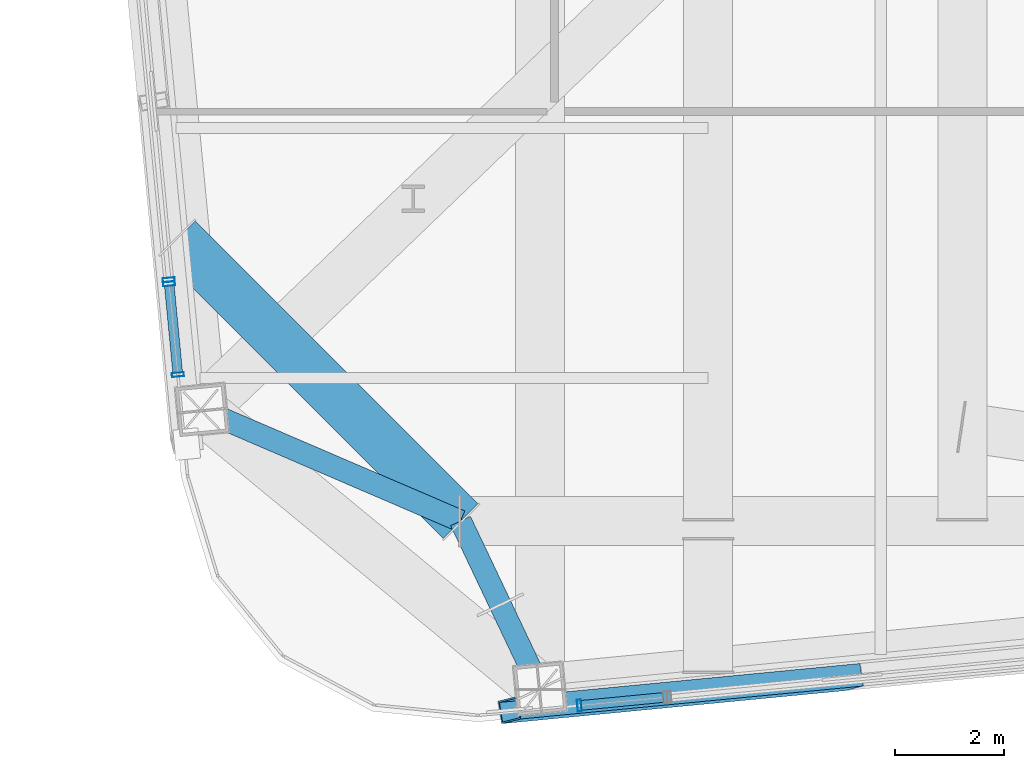
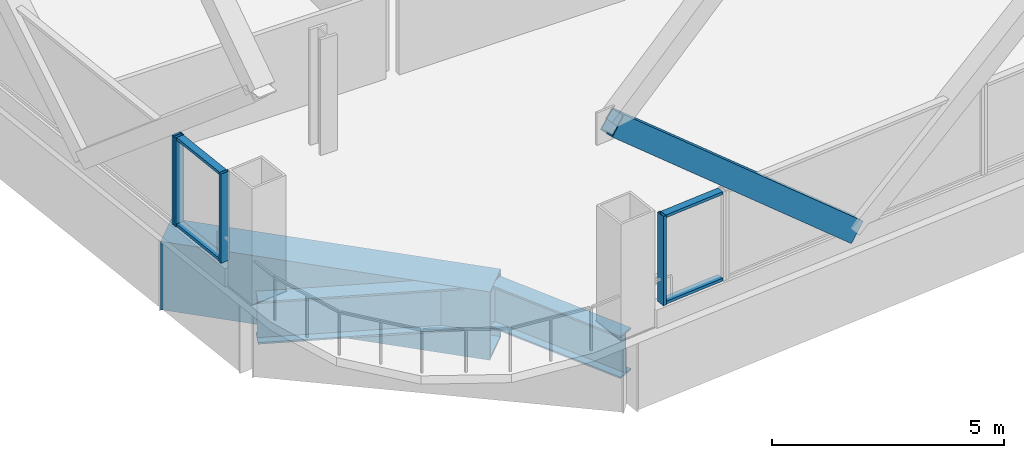
# One storey, part 2 of 42: 9 members, 3 beams, 3 elements without a shape of their own.
"""IFC4 building model written with IfcOpenShell, lengths in metres."""

import ifcopenshell
import ifcopenshell.guid

model = None  # the IFC model being written
_history = None  # IfcOwnerHistory: only IFC2X3 demands one
_inside = {}  # id of a spatial element -> (the spatial element, [elements in it])
_under = {}  # id of a project, library or spatial element -> (it, [spatial elements below it])
_declared = {}  # id of a project -> (the project, [libraries it declares])
_typed = {}  # id of a type object -> (the type object, [elements of that type])
_made_of = {}  # id of a material, layer set ... -> (it, [elements and type objects made of it])


def new_model(schema):
    """Start an empty IFC model of exactly this schema.

    Asked for "IFC4X3", IfcOpenShell would pick the latest addendum, in which some entities
    have other attributes; the version numbers below select the first issue.
    IFC2X3 requires an IfcOwnerHistory on every rooted entity: one is made here for all.
    """
    global model, _history
    if schema == "IFC4X3":
        model = ifcopenshell.file(schema_version=(4, 3, 0, 0))
    else:
        model = ifcopenshell.file(schema=schema)
    _inside.clear()
    _under.clear()
    _declared.clear()
    _typed.clear()
    _made_of.clear()
    _history = None
    if model.schema == "IFC2X3":
        org = make("IfcOrganization", Name="unknown")
        user = make(
            "IfcPersonAndOrganization",
            ThePerson=make("IfcPerson", FamilyName="unknown"),
            TheOrganization=org,
        )
        app = make(
            "IfcApplication",
            ApplicationDeveloper=org,
            Version="unknown",
            ApplicationFullName="unknown",
            ApplicationIdentifier="unknown",
        )
        _history = make(
            "IfcOwnerHistory",
            OwningUser=user,
            OwningApplication=app,
            ChangeAction="ADDED",
            CreationDate=0,
        )
    return model


def make(cls, **values):
    """One entity of the class cls with the attributes given. An attribute that is None is left unset."""
    return model.create_entity(
        cls, **{name: value for name, value in values.items() if value is not None}
    )


def rooted(cls, **values):
    """An entity with a GlobalId (a new one), such as an element, a storey or a relation."""
    return make(cls, GlobalId=ifcopenshell.guid.new(), OwnerHistory=_history, **values)


def si_unit(unit_type, name, prefix=None):
    """IfcSIUnit, for example si_unit("LENGTHUNIT", "METRE", prefix="MILLI")."""
    return make("IfcSIUnit", UnitType=unit_type, Prefix=prefix, Name=name)


def assignment(units):
    """IfcUnitAssignment: the units of a project."""
    return None if units is None else make("IfcUnitAssignment", Units=units)


def point(xyz):
    """IfcCartesianPoint."""
    return None if xyz is None else make("IfcCartesianPoint", Coordinates=xyz)


def direction(xyz):
    """IfcDirection."""
    return None if xyz is None else make("IfcDirection", DirectionRatios=xyz)


def frame(location, z_axis=None, x_axis=None):
    """IfcAxis2Placement3D, a coordinate frame: its origin and axes. An axis left out is left unset."""
    return make(
        "IfcAxis2Placement3D",
        Location=point(location),
        Axis=direction(z_axis),
        RefDirection=direction(x_axis),
    )


def frame_2d(location, x_axis=None):
    """IfcAxis2Placement2D, a coordinate frame in the plane: its origin and x axis."""
    return make(
        "IfcAxis2Placement2D", Location=point(location), RefDirection=direction(x_axis)
    )


def origin():
    """The frame at (0, 0, 0) with its axes left unset."""
    return frame((0.0, 0.0, 0.0))


def origin_2d():
    """The frame at (0, 0) in the plane with its x axis left unset."""
    return frame_2d((0.0, 0.0))


def place(relative_to, where):
    """IfcLocalPlacement: puts the frame where relative to a parent placement (None: the world)."""
    return make(
        "IfcLocalPlacement", PlacementRelTo=relative_to, RelativePlacement=where
    )


def context(
    kind, dimensions, precision=None, world=None, true_north=None, identifier=None
):
    """IfcGeometricRepresentationContext, for example the 3D "Model" context."""
    return make(
        "IfcGeometricRepresentationContext",
        ContextIdentifier=identifier,
        ContextType=kind,
        CoordinateSpaceDimension=dimensions,
        Precision=precision,
        WorldCoordinateSystem=world,
        TrueNorth=true_north,
    )


def subcontext(parent, identifier, kind, view, scale=None):
    """IfcGeometricRepresentationSubContext, for example "Body" below "Model"."""
    return make(
        "IfcGeometricRepresentationSubContext",
        ContextIdentifier=identifier,
        ContextType=kind,
        ParentContext=parent,
        TargetScale=scale,
        TargetView=view,
    )


def project(units=None, contexts=None):
    """IfcProject with its units and contexts."""
    return rooted(
        "IfcProject",
        Name="project",
        RepresentationContexts=contexts,
        UnitsInContext=assignment(units),
    )


def spatial(cls, under=None, at=None, **own):
    """A site, building, storey or space (cls), placed at a placement, below another one or the project."""
    s = rooted(cls, ObjectPlacement=at, **own)
    if under is not None:
        _under.setdefault(under.id(), (under, []))[1].append(s)
    return s


def profile(cls, at=None, kind="AREA", **sizes):
    """A parametric profile (cls). Its sizes go by their IFC names, for example OverallWidth=200.0."""
    return make(cls, ProfileType=kind, Position=at, **sizes)


def hollow_rectangle(**sizes):
    """IfcRectangleHollowProfileDef."""
    return profile("IfcRectangleHollowProfileDef", **sizes)


def i_section(**sizes):
    """IfcIShapeProfileDef."""
    return profile("IfcIShapeProfileDef", **sizes)


def extrude(swept, where, along, depth):
    """IfcExtrudedAreaSolid: the profile swept, set in the frame where, extruded along a direction by depth."""
    return make(
        "IfcExtrudedAreaSolid",
        SweptArea=swept,
        Position=where,
        ExtrudedDirection=direction(along),
        Depth=depth,
    )


def shape(context_of_items, identifier, shape_type, items):
    """IfcShapeRepresentation: the items that make up one representation, for example the "Body"."""
    return make(
        "IfcShapeRepresentation",
        ContextOfItems=context_of_items,
        RepresentationIdentifier=identifier,
        RepresentationType=shape_type,
        Items=items,
    )


def material(Name=None, Category=None):
    """IfcMaterial."""
    return make("IfcMaterial", Name=Name, Category=Category)


def layer(
    of_material, thickness, ventilated=None, Name=None, Category=None, Priority=None
):
    """IfcMaterialLayer: one layer of a wall or slab, of a material (None: an air gap)."""
    return make(
        "IfcMaterialLayer",
        Material=of_material,
        LayerThickness=thickness,
        IsVentilated=ventilated,
        Name=Name,
        Category=Category,
        Priority=Priority,
    )


def layer_set(layers, Name=None):
    """IfcMaterialLayerSet."""
    return make("IfcMaterialLayerSet", MaterialLayers=layers, LayerSetName=Name)


def material_profile(
    of_material, cross_section, Name=None, Category=None, Priority=None
):
    """IfcMaterialProfile: a cross section and its material."""
    return make(
        "IfcMaterialProfile",
        Name=Name,
        Material=of_material,
        Profile=cross_section,
        Priority=Priority,
        Category=Category,
    )


def profile_set(profiles, Name=None, composite=None):
    """IfcMaterialProfileSet."""
    return make(
        "IfcMaterialProfileSet",
        Name=Name,
        MaterialProfiles=profiles,
        CompositeProfile=composite,
    )


def made_of(thing, what):
    """Note that an element or type object is made of a material, layer set ...; save() writes the relation."""
    if what is not None:
        _made_of.setdefault(what.id(), (what, []))[1].append(thing)
    return thing


def type_object(cls, material=None, **own):
    """A type object (cls), such as IfcWallType, which elements share."""
    return made_of(rooted(cls, **own), material)


def element(
    cls,
    number,
    at=None,
    inside=None,
    cuts=None,
    type_object=None,
    material=None,
    context=None,
    identifier="Body",
    shape_type=None,
    held_by="IfcProductDefinitionShape",
    body=None,
    shapes=None,
    **own,
):
    """One element of the class cls, such as IfcWall. Its Tag is "e" and its number.

    at: its placement. inside: the storey or other place that contains it. cuts: it is an
    opening in that element (IfcRelVoidsElement). A single representation is given by context,
    identifier, shape_type and body (its items); several are given by shapes. held_by: the class
    of the entity that holds the representations. save() writes the other relations.
    """
    e = rooted(cls, Tag="e%d" % number, ObjectPlacement=at, **own)
    if body is not None:
        shapes = [shape(context, identifier, shape_type, body)]
    if shapes is not None:
        e.Representation = make(held_by, Representations=shapes)
    if inside is not None:
        _inside.setdefault(inside.id(), (inside, []))[1].append(e)
    if cuts is not None:
        rooted(
            "IfcRelVoidsElement", RelatingBuildingElement=cuts, RelatedOpeningElement=e
        )
    if type_object is not None:
        _typed.setdefault(type_object.id(), (type_object, []))[1].append(e)
    return made_of(e, material)


def aggregate(whole, parts):
    """IfcRelAggregates: a whole, such as a stair, and the parts it consists of."""
    return rooted("IfcRelAggregates", RelatingObject=whole, RelatedObjects=parts)


def save(model, path):
    """Write the relations noted so far, then the file.

    IfcRelAggregates (storeys below a building ...), IfcRelContainedInSpatialStructure (elements
    in a storey), IfcRelDefinesByType, IfcRelAssociatesMaterial and IfcRelDeclares: one each for
    every whole, place, type object, material and project.
    """
    for whole, parts in _under.values():
        aggregate(whole, parts)
    for where, things in _inside.values():
        rooted(
            "IfcRelContainedInSpatialStructure",
            RelatedElements=things,
            RelatingStructure=where,
        )
    for kind, things in _typed.values():
        rooted("IfcRelDefinesByType", RelatedObjects=things, RelatingType=kind)
    for what, things in _made_of.values():
        rooted("IfcRelAssociatesMaterial", RelatedObjects=things, RelatingMaterial=what)
    for by, libraries in _declared.values():
        rooted("IfcRelDeclares", RelatingContext=by, RelatedDefinitions=libraries)
    model.write(path)


model = new_model("IFC4")

# Units and contexts
model_context = context("Model", 3, precision=1e-05, world=origin(), true_north=direction((0.0, 1.0)))
body_context = subcontext(model_context, "Body", "Model", "MODEL_VIEW")
ifc_project = project(units=[si_unit("LENGTHUNIT", "METRE"), si_unit("AREAUNIT", "SQUARE_METRE"), si_unit("VOLUMEUNIT", "CUBIC_METRE"), si_unit("PLANEANGLEUNIT", "RADIAN"), si_unit("MASSUNIT", "GRAM", prefix="KILO")], contexts=[model_context])

# Site, building, storey
site_placement = place(None, origin())
site = spatial("IfcSite", under=ifc_project, at=site_placement, CompositionType="ELEMENT")
building_placement = place(site_placement, origin())
building = spatial("IfcBuilding", under=site, at=building_placement, Name="Qhalaya Broadcast Tower", CompositionType="ELEMENT")
storey_placement = place(building_placement, frame((0.0, 0.0, 69.449951171875)))
storey = spatial("IfcBuildingStorey", under=building, at=storey_placement, Name="L19", CompositionType="ELEMENT", Elevation=69.449951171875)

# Beam
ifc_material_1 = material(Name="Structural Steel ASTM A572 Grade 50", Category="steel")
ifc_material_profile_1 = material_profile(ifc_material_1, hollow_rectangle(XDim=0.89990234375, YDim=1.800048828125, WallThickness=0.06005859375, at=origin_2d()), Name="BOX 900x1800x60")
ifc_profile_set_1 = profile_set([ifc_material_profile_1], Name="Structural Steel ASTM A572 Grade 50")
beam_type_1 = type_object("IfcBeamType", Name="Block Cantilever Transfer Box Girder TG1", PredefinedType="USERDEFINED", material=ifc_profile_set_1)
beam_1_placement = place(storey_placement, frame((-19.1298828125, -13.929931640625, -1.119873046875), z_axis=(0.707106781187, -0.707106781187, 0.0), x_axis=(0.707106781187, 0.707106781187, 0.0)))
element("IfcBeam", 1, at=beam_1_placement, inside=storey, type_object=beam_type_1, Name="L19 TG1 L19-TGL-16", ObjectType="GIRDER", PredefinedType="USERDEFINED", context=body_context, shape_type="SweptSolid", body=[
    extrude(hollow_rectangle(XDim=0.89990234375, YDim=1.800048828125, WallThickness=0.06005859375, at=origin_2d()), origin(), (0.0, 0.0, 1.0), 7.353759765625),
])

# Member
ifc_material_profile_2 = material_profile(ifc_material_1, hollow_rectangle(XDim=0.419921875, YDim=0.550048828125, WallThickness=0.028076171875, at=origin_2d()), Name="BOX 420x550x28")
ifc_profile_set_2 = profile_set([ifc_material_profile_2], Name="Structural Steel ASTM A572 Grade 50")
member_type_1 = type_object("IfcMemberType", Name="Exoskeleton Diamond Diagonal Mid-Low EX2", PredefinedType="BRACE", material=ifc_profile_set_2)
member_1_placement = place(storey_placement, frame((-6.725830078125, -22.00146484375, 0.360107421875), z_axis=(-0.758635580976, -0.073066636585, 0.647405067864), x_axis=(0.157193441444, -0.984862499798, 0.073048466507)))
element("IfcMember", 2, at=member_1_placement, inside=storey, type_object=member_type_1, Name="B2 Exoskeleton Diamond Brace S1-D1", PredefinedType="BRACE", context=body_context, shape_type="SweptSolid", body=[
    extrude(hollow_rectangle(XDim=0.419921875, YDim=0.550048828125, WallThickness=0.028076171875, at=origin_2d()), origin(), (0.0, 0.0, 1.0), 8.309814453125),
])

# Beams
ifc_material_2 = material(Name="Structural Steel ASTM A992 Grade 50", Category="steel")
ifc_material_profile_3 = material_profile(ifc_material_2, i_section(OverallWidth=0.404052734375, OverallDepth=1.117919921875, WebThickness=0.026123046875, FlangeThickness=0.044921875, at=origin_2d()), Name="W44X335")
ifc_profile_set_3 = profile_set([ifc_material_profile_3], Name="Structural Steel ASTM A992 Grade 50")
beam_type_2 = type_object("IfcBeamType", Name="Podium Long-Span Primary Girder PG1", PredefinedType="USERDEFINED", material=ifc_profile_set_3)
beam_2_placement = place(storey_placement, frame((-13.929931640625, -19.1298828125, -0.779052734375), z_axis=(0.429125391457, -0.903244927142, 0.0), x_axis=(0.903244927142, 0.429125391457, 0.0)))
element("IfcBeam", 3, at=beam_2_placement, inside=storey, type_object=beam_type_2, Name="L19 Column-to-Column Moment Tie Girder 01-1", ObjectType="GIRDER", PredefinedType="USERDEFINED", context=body_context, shape_type="SweptSolid", body=[
    extrude(i_section(OverallWidth=0.404052734375, OverallDepth=1.117919921875, WebThickness=0.026123046875, FlangeThickness=0.044921875, at=origin_2d()), origin(), (0.0, 0.0, 1.0), 3.4130859375),
])
beam_3_placement = place(storey_placement, frame((-13.929931640625, -19.1298828125, -0.779052734375), z_axis=(-0.918685788708, 0.394989141149, 0.0), x_axis=(-0.394989141149, -0.918685788708, 0.0)))
element("IfcBeam", 4, at=beam_3_placement, inside=storey, type_object=beam_type_2, Name="L19 Column-to-Column Moment Tie Girder 16-2", ObjectType="GIRDER", PredefinedType="USERDEFINED", context=body_context, shape_type="SweptSolid", body=[
    extrude(i_section(OverallWidth=0.404052734375, OverallDepth=1.117919921875, WebThickness=0.026123046875, FlangeThickness=0.044921875, at=origin_2d()), origin(), (0.0, 0.0, 1.0), 5.176513671875),
])

# Curtain wall, member
ifc_material_3 = material(Name="Solar-Control Low-E Triple Glazing", Category="glass")
ifc_layer_1 = layer(ifc_material_3, 0.219970703125, Name="Solar-Control Low-E Triple Glazing")
ifc_layer_set_1 = layer_set([ifc_layer_1], Name="Solar-Control Low-E Triple Glazing")
curtain_wall_type_1 = type_object("IfcCurtainWallType", Name="Even-Block 4-Storey Double-Module Curtain Wall CW-03", PredefinedType="NOTDEFINED", material=ifc_layer_set_1)
curtain_wall_1_placement = place(storey_placement, origin())
curtain_wall_1 = element("IfcCurtainWall", 5, at=curtain_wall_1_placement, inside=storey, type_object=curtain_wall_type_1, Name="L19 Unitised Curtain Wall L19-CW-S1", PredefinedType="NOTDEFINED")
ifc_material_4 = material(Name="Anodised Aluminium 6063-T6", Category="aluminium")
ifc_material_profile_4 = material_profile(ifc_material_4, hollow_rectangle(XDim=0.074951171875, YDim=0.219970703125, WallThickness=0.00390625, at=origin_2d()), Name="ALU-MUL 75x220x4")
ifc_profile_set_4 = profile_set([ifc_material_profile_4], Name="Anodised Aluminium 6063-T6")
member_type_2 = type_object("IfcMemberType", Name="Unitised Curtain-Wall Mullion M01", PredefinedType="MULLION", material=ifc_profile_set_4)
member_2_placement = place(storey_placement, frame((-11.74462890625, -22.52490234375, 0.47998046875), z_axis=(0.0, 0.0, 1.0), x_axis=(0.995395680125, 0.095851134517, 0.0)))
member_2 = element("IfcMember", 6, at=member_2_placement, type_object=member_type_2, Name="CW-03 mullion 1", PredefinedType="MULLION", context=body_context, shape_type="SweptSolid", body=[
    extrude(hollow_rectangle(XDim=0.074951171875, YDim=0.219970703125, WallThickness=0.00390625, at=origin_2d()), origin(), (0.0, 0.0, 1.0), 2.35009765625),
])

ifc_material_5 = material(Name="Fired Architectural Terracotta", Category="masonry")
ifc_layer_2 = layer(ifc_material_5, 0.219970703125, Name="Fired Architectural Terracotta")
ifc_layer_set_2 = layer_set([ifc_layer_2], Name="Fired Architectural Terracotta")
curtain_wall_type_2 = type_object("IfcCurtainWallType", Name="Block-Cap Unitised Terracotta Spandrel Wall CW-07", PredefinedType="NOTDEFINED", material=ifc_layer_set_2)
curtain_wall_2_placement = place(storey_placement, origin())
curtain_wall_2 = element("IfcCurtainWall", 7, at=curtain_wall_2_placement, inside=storey, type_object=curtain_wall_type_2, Name="L19 Unitised Curtain Wall L19-CW-W6", PredefinedType="NOTDEFINED")
member_3_placement = place(storey_placement, frame((-19.297607421875, -14.693359375, 0.47998046875), z_axis=(0.0, 0.0, 1.0), x_axis=(0.095857967914, -0.995395022083, 0.0)))
member_3 = element("IfcMember", 8, at=member_3_placement, type_object=member_type_2, Name="CW-07 mullion 2", PredefinedType="MULLION", context=body_context, shape_type="SweptSolid", body=[
    extrude(hollow_rectangle(XDim=0.074951171875, YDim=0.219970703125, WallThickness=0.00390625, at=origin_2d()), origin(), (0.0, 0.0, 1.0), 2.35009765625),
])
aggregate(curtain_wall_2, [member_3])

# Curtain wall, members
curtain_wall_3_placement = place(storey_placement, origin())
curtain_wall_3 = element("IfcCurtainWall", 9, at=curtain_wall_3_placement, inside=storey, type_object=curtain_wall_type_1, Name="L19 Unitised Curtain Wall L19-CW-W7", PredefinedType="NOTDEFINED")
member_4_placement = place(storey_placement, frame((-19.290283203125, -14.767822265625, 0.47998046875), z_axis=(0.0, 0.0, 1.0), x_axis=(0.095829861583, -0.995397728362, 0.0)))
member_4 = element("IfcMember", 10, at=member_4_placement, type_object=member_type_2, Name="CW-03 mullion 1", PredefinedType="MULLION", context=body_context, shape_type="SweptSolid", body=[
    extrude(hollow_rectangle(XDim=0.074951171875, YDim=0.219970703125, WallThickness=0.00390625, at=origin_2d()), origin(), (0.0, 0.0, 1.0), 2.35009765625),
])
member_5_placement = place(storey_placement, frame((-19.129638671875, -16.437255859375, 0.47998046875), z_axis=(0.0, 0.0, 1.0), x_axis=(0.095829861583, -0.995397728362, 0.0)))
member_5 = element("IfcMember", 11, at=member_5_placement, type_object=member_type_2, Name="CW-03 mullion 2", PredefinedType="MULLION", context=body_context, shape_type="SweptSolid", body=[
    extrude(hollow_rectangle(XDim=0.074951171875, YDim=0.219970703125, WallThickness=0.00390625, at=origin_2d()), origin(), (0.0, 0.0, 1.0), 2.35009765625),
])

# Member
ifc_material_profile_5 = material_profile(ifc_material_4, hollow_rectangle(XDim=0.074951171875, YDim=0.179931640625, WallThickness=0.00390625, at=origin_2d()), Name="ALU-TRN 75x180x4")
ifc_profile_set_5 = profile_set([ifc_material_profile_5], Name="Anodised Aluminium 6063-T6")
member_type_3 = type_object("IfcMemberType", Name="Unitised Curtain-Wall Transom T01", PredefinedType="USERDEFINED", material=ifc_profile_set_5)
member_6_placement = place(storey_placement, frame((-11.707275390625, -22.521484375, 0.517578125), z_axis=(0.995388888149, 0.09592164172, 0.0), x_axis=(0.0, 0.0, 1.0)))
member_6 = element("IfcMember", 12, at=member_6_placement, type_object=member_type_3, Name="CW-03 transom 1.1", ObjectType="TRANSOM", PredefinedType="USERDEFINED", context=body_context, shape_type="SweptSolid", body=[
    extrude(hollow_rectangle(XDim=0.074951171875, YDim=0.179931640625, WallThickness=0.00390625, at=origin_2d()), origin(), (0.0, 0.0, 1.0), 1.511962890625),
])

member_7_placement = place(storey_placement, frame((-11.707275390625, -22.521484375, 2.79248046875), z_axis=(0.995388888149, 0.09592164172, 0.0), x_axis=(0.0, 0.0, 1.0)))
member_7 = element("IfcMember", 13, at=member_7_placement, type_object=member_type_3, Name="CW-03 transom 1.2", ObjectType="TRANSOM", PredefinedType="USERDEFINED", context=body_context, shape_type="SweptSolid", body=[
    extrude(hollow_rectangle(XDim=0.074951171875, YDim=0.179931640625, WallThickness=0.00390625, at=origin_2d()), origin(), (0.0, 0.0, 1.0), 1.511962890625),
])

aggregate(curtain_wall_1, [member_2, member_6, member_7])

member_8_placement = place(storey_placement, frame((-19.28662109375, -14.80517578125, 0.517578125), z_axis=(0.095700791732, -0.99541014585, 0.0), x_axis=(0.0, 0.0, 1.0)))
member_8 = element("IfcMember", 14, at=member_8_placement, type_object=member_type_3, Name="CW-03 transom 1.1", ObjectType="TRANSOM", PredefinedType="USERDEFINED", context=body_context, shape_type="SweptSolid", body=[
    extrude(hollow_rectangle(XDim=0.074951171875, YDim=0.179931640625, WallThickness=0.00390625, at=origin_2d()), origin(), (0.0, 0.0, 1.0), 1.60205078125),
])

member_9_placement = place(storey_placement, frame((-19.28662109375, -14.80517578125, 2.79248046875), z_axis=(0.095700791732, -0.99541014585, 0.0), x_axis=(0.0, 0.0, 1.0)))
member_9 = element("IfcMember", 15, at=member_9_placement, type_object=member_type_3, Name="CW-03 transom 1.2", ObjectType="TRANSOM", PredefinedType="USERDEFINED", context=body_context, shape_type="SweptSolid", body=[
    extrude(hollow_rectangle(XDim=0.074951171875, YDim=0.179931640625, WallThickness=0.00390625, at=origin_2d()), origin(), (0.0, 0.0, 1.0), 1.60205078125),
])

aggregate(curtain_wall_3, [member_4, member_5, member_8, member_9])

save(model, "model.ifc")
